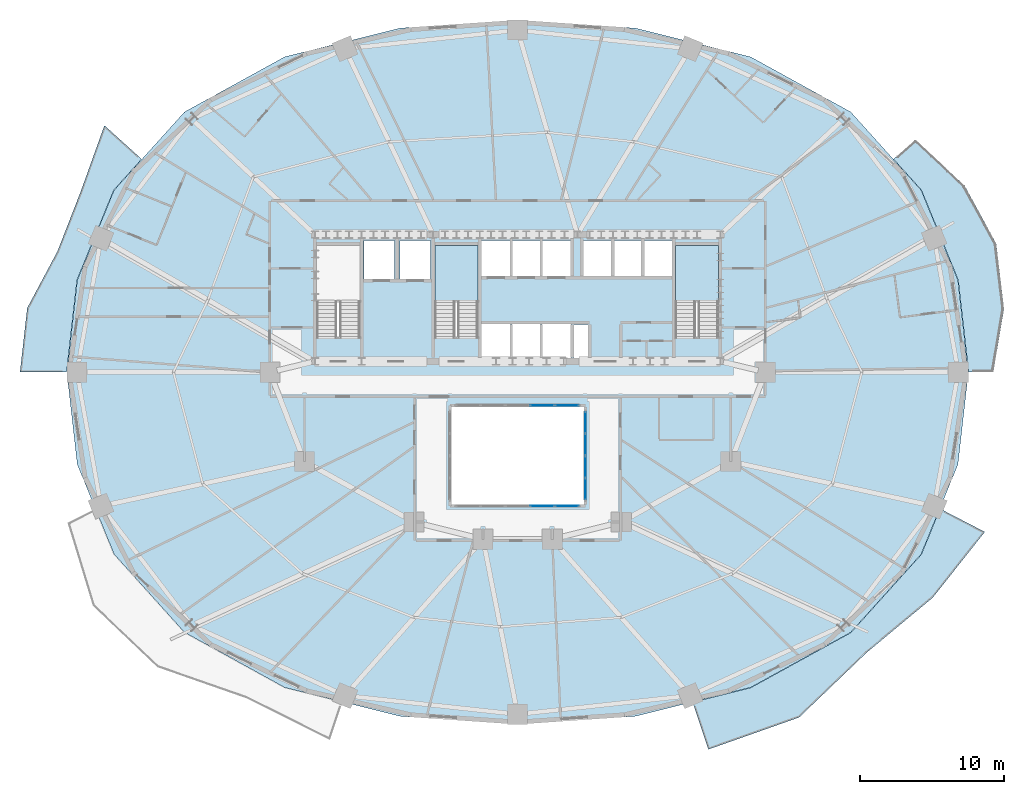
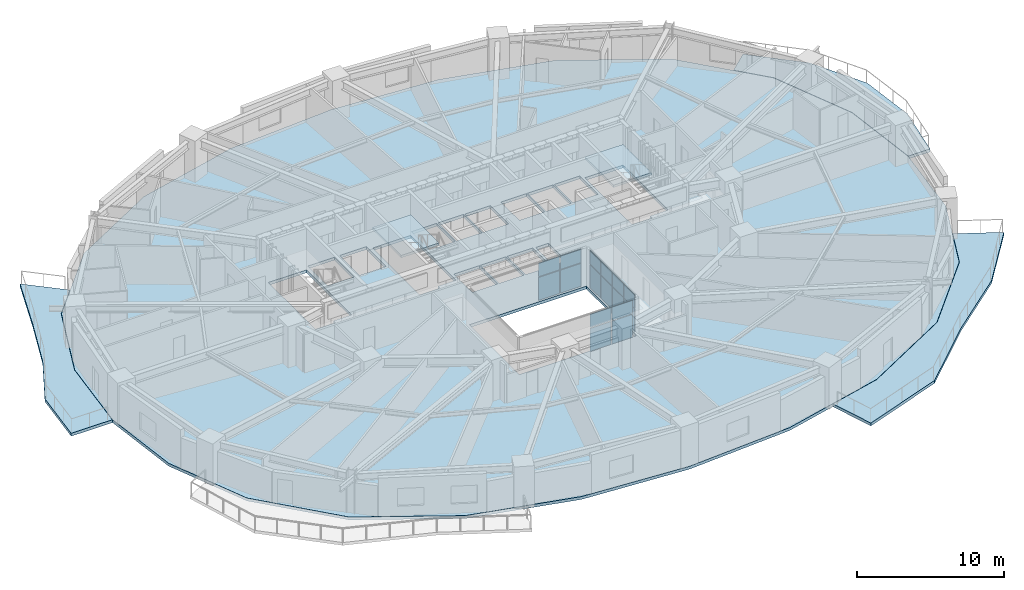
# One storey, part 8 of 17: 16 plates, 6 slabs, 5 elements without a shape of their own.
"""IFC4 building model written with IfcOpenShell, lengths in metres."""

from ifc_helpers import new_model, si_unit, direction, frame, origin, origin_2d, place, context, subcontext, project, spatial, polyline, rectangle, outline, extrude, material, layer, layer_set, type_object, element, aggregate, save


model = new_model("IFC4")

# Units and contexts
model_context = context("Model", 3, precision=1e-05, world=origin(), true_north=direction((0.0, 1.0)))
body_context = subcontext(model_context, "Body", "Model", "MODEL_VIEW")
ifc_project = project(units=[si_unit("LENGTHUNIT", "METRE"), si_unit("AREAUNIT", "SQUARE_METRE"), si_unit("VOLUMEUNIT", "CUBIC_METRE"), si_unit("PLANEANGLEUNIT", "RADIAN"), si_unit("MASSUNIT", "GRAM", prefix="KILO")], contexts=[model_context])

# Site, building, storey
site_placement = place(None, origin())
site = spatial("IfcSite", under=ifc_project, at=site_placement, CompositionType="ELEMENT")
building_placement = place(site_placement, origin())
building = spatial("IfcBuilding", under=site, at=building_placement, Name="Haldorwick Loom Tower", CompositionType="ELEMENT")
storey_placement = place(building_placement, frame((0.0, 0.0, 37.800048828125)))
storey = spatial("IfcBuildingStorey", under=building, at=storey_placement, Name="L09", CompositionType="ELEMENT", Elevation=37.800048828125)

# Curtain wall, plates
ifc_material_1 = material(Name="Thermally Broken Anodized Aluminium Curtain Wall Framing", Category="aluminium")
curtain_wall_type = type_object("IfcCurtainWallType", Name="ARC-CW-03", PredefinedType="NOTDEFINED", material=ifc_material_1)
curtain_wall_1_placement = place(storey_placement, origin())
curtain_wall_1 = element("IfcCurtainWall", 1, at=curtain_wall_1_placement, inside=storey, type_object=curtain_wall_type, Name="L09 Atrium Glazed Screen S", PredefinedType="NOTDEFINED")
ifc_material_2 = material(Name="Triple-Glazed Low-E Argon Insulated Glazing Unit", Category="glass")
ifc_layer_1 = layer(ifc_material_2, 0.04296875, Name="Triple-Glazed Low-E Argon Insulated Glazing Unit", Category="glass")
ifc_layer_set_1 = layer_set([ifc_layer_1], Name="Triple-Glazed Low-E Argon Insulated Glazing Unit")
plate_type = type_object("IfcPlateType", Name="ARC-CWP-03", PredefinedType="CURTAIN_PANEL", material=ifc_layer_set_1)
plate_1_placement = place(storey_placement, frame((39.423583984375, 16.699951171875, 0.06591796875), z_axis=(0.0, 0.0, 1.0), x_axis=(-1.0, 0.0, 0.0)))
plate_1 = element("IfcPlate", 2, at=plate_1_placement, type_object=plate_type, Name="CW-03 panel 1.1", PredefinedType="CURTAIN_PANEL", context=body_context, shape_type="SweptSolid", body=[
    extrude(rectangle(XDim=1.62109375, YDim=0.04296875, at=origin_2d()), origin(), (0.0, 0.0, 1.0), 1.90087890625),
])
plate_2_placement = place(storey_placement, frame((39.423583984375, 16.699951171875, 2.03271484375), z_axis=(0.0, 0.0, 1.0), x_axis=(-1.0, 0.0, 0.0)))
plate_2 = element("IfcPlate", 3, at=plate_2_placement, type_object=plate_type, Name="CW-03 panel 1.2", PredefinedType="CURTAIN_PANEL", context=body_context, shape_type="SweptSolid", body=[
    extrude(rectangle(XDim=1.62109375, YDim=0.04296875, at=origin_2d()), origin(), (0.0, 0.0, 1.0), 1.111083984375),
])
plate_3_placement = place(storey_placement, frame((37.719970703125, 16.699951171875, 0.06591796875), z_axis=(0.0, 0.0, 1.0), x_axis=(-1.0, 0.0, 0.0)))
plate_3 = element("IfcPlate", 4, at=plate_3_placement, type_object=plate_type, Name="CW-03 panel 2.1", PredefinedType="CURTAIN_PANEL", context=body_context, shape_type="SweptSolid", body=[
    extrude(rectangle(XDim=1.654052734375, YDim=0.04296875, at=origin_2d()), origin(), (0.0, 0.0, 1.0), 1.90087890625),
])
plate_4_placement = place(storey_placement, frame((37.719970703125, 16.699951171875, 2.03271484375), z_axis=(0.0, 0.0, 1.0), x_axis=(-1.0, 0.0, 0.0)))
plate_4 = element("IfcPlate", 5, at=plate_4_placement, type_object=plate_type, Name="CW-03 panel 2.2", PredefinedType="CURTAIN_PANEL", context=body_context, shape_type="SweptSolid", body=[
    extrude(rectangle(XDim=1.654052734375, YDim=0.04296875, at=origin_2d()), origin(), (0.0, 0.0, 1.0), 1.111083984375),
])
aggregate(curtain_wall_1, [plate_1, plate_2, plate_3, plate_4])

curtain_wall_2_placement = place(storey_placement, origin())
curtain_wall_2 = element("IfcCurtainWall", 6, at=curtain_wall_2_placement, inside=storey, type_object=curtain_wall_type, Name="L09 Atrium Glazed Screen N", PredefinedType="NOTDEFINED")
plate_5_placement = place(storey_placement, frame((37.719970703125, 23.699951171875, 0.06591796875), z_axis=(0.0, 0.0, 1.0), x_axis=(1.0, 0.0, 0.0)))
plate_5 = element("IfcPlate", 7, at=plate_5_placement, type_object=plate_type, Name="CW-03 panel 4.1", PredefinedType="CURTAIN_PANEL", context=body_context, shape_type="SweptSolid", body=[
    extrude(rectangle(XDim=1.654052734375, YDim=0.04296875, at=origin_2d()), origin(), (0.0, 0.0, 1.0), 1.90087890625),
])
plate_6_placement = place(storey_placement, frame((37.719970703125, 23.699951171875, 2.03271484375), z_axis=(0.0, 0.0, 1.0), x_axis=(1.0, 0.0, 0.0)))
plate_6 = element("IfcPlate", 8, at=plate_6_placement, type_object=plate_type, Name="CW-03 panel 4.2", PredefinedType="CURTAIN_PANEL", context=body_context, shape_type="SweptSolid", body=[
    extrude(rectangle(XDim=1.654052734375, YDim=0.04296875, at=origin_2d()), origin(), (0.0, 0.0, 1.0), 1.111083984375),
])
plate_7_placement = place(storey_placement, frame((39.423583984375, 23.699951171875, 0.06591796875), z_axis=(0.0, 0.0, 1.0), x_axis=(1.0, 0.0, 0.0)))
plate_7 = element("IfcPlate", 9, at=plate_7_placement, type_object=plate_type, Name="CW-03 panel 5.1", PredefinedType="CURTAIN_PANEL", context=body_context, shape_type="SweptSolid", body=[
    extrude(rectangle(XDim=1.62109375, YDim=0.04296875, at=origin_2d()), origin(), (0.0, 0.0, 1.0), 1.90087890625),
])
plate_8_placement = place(storey_placement, frame((39.423583984375, 23.699951171875, 2.03271484375), z_axis=(0.0, 0.0, 1.0), x_axis=(1.0, 0.0, 0.0)))
plate_8 = element("IfcPlate", 10, at=plate_8_placement, type_object=plate_type, Name="CW-03 panel 5.2", PredefinedType="CURTAIN_PANEL", context=body_context, shape_type="SweptSolid", body=[
    extrude(rectangle(XDim=1.62109375, YDim=0.04296875, at=origin_2d()), origin(), (0.0, 0.0, 1.0), 1.111083984375),
])
aggregate(curtain_wall_2, [plate_5, plate_6, plate_7, plate_8])

curtain_wall_3_placement = place(storey_placement, origin())
curtain_wall_3 = element("IfcCurtainWall", 11, at=curtain_wall_3_placement, inside=storey, type_object=curtain_wall_type, Name="L09 Atrium Glazed Screen E", PredefinedType="NOTDEFINED")
plate_9_placement = place(storey_placement, frame((40.699951171875, 22.508544921875, 0.06591796875), z_axis=(0.0, 0.0, 1.0), x_axis=(0.0, -1.0, 0.0)))
plate_9 = element("IfcPlate", 12, at=plate_9_placement, type_object=plate_type, Name="CW-03 panel 1.1", PredefinedType="CURTAIN_PANEL", context=body_context, shape_type="SweptSolid", body=[
    extrude(rectangle(XDim=1.450927734375, YDim=0.04296875, at=origin_2d()), origin(), (0.0, 0.0, 1.0), 1.90087890625),
])
plate_10_placement = place(storey_placement, frame((40.699951171875, 22.508544921875, 2.03271484375), z_axis=(0.0, 0.0, 1.0), x_axis=(0.0, -1.0, 0.0)))
plate_10 = element("IfcPlate", 13, at=plate_10_placement, type_object=plate_type, Name="CW-03 panel 1.2", PredefinedType="CURTAIN_PANEL", context=body_context, shape_type="SweptSolid", body=[
    extrude(rectangle(XDim=1.450927734375, YDim=0.04296875, at=origin_2d()), origin(), (0.0, 0.0, 1.0), 1.111083984375),
])
plate_11_placement = place(storey_placement, frame((40.699951171875, 20.97509765625, 0.06591796875), z_axis=(0.0, 0.0, 1.0), x_axis=(0.0, -1.0, 0.0)))
plate_11 = element("IfcPlate", 14, at=plate_11_placement, type_object=plate_type, Name="CW-03 panel 2.1", PredefinedType="CURTAIN_PANEL", context=body_context, shape_type="SweptSolid", body=[
    extrude(rectangle(XDim=1.48388671875, YDim=0.04296875, at=origin_2d()), origin(), (0.0, 0.0, 1.0), 1.90087890625),
])
plate_12_placement = place(storey_placement, frame((40.699951171875, 20.97509765625, 2.03271484375), z_axis=(0.0, 0.0, 1.0), x_axis=(0.0, -1.0, 0.0)))
plate_12 = element("IfcPlate", 15, at=plate_12_placement, type_object=plate_type, Name="CW-03 panel 2.2", PredefinedType="CURTAIN_PANEL", context=body_context, shape_type="SweptSolid", body=[
    extrude(rectangle(XDim=1.48388671875, YDim=0.04296875, at=origin_2d()), origin(), (0.0, 0.0, 1.0), 1.111083984375),
])
plate_13_placement = place(storey_placement, frame((40.699951171875, 19.425048828125, 0.06591796875), z_axis=(0.0, 0.0, 1.0), x_axis=(0.0, -1.0, 0.0)))
plate_13 = element("IfcPlate", 16, at=plate_13_placement, type_object=plate_type, Name="CW-03 panel 3.1", PredefinedType="CURTAIN_PANEL", context=body_context, shape_type="SweptSolid", body=[
    extrude(rectangle(XDim=1.48388671875, YDim=0.04296875, at=origin_2d()), origin(), (0.0, 0.0, 1.0), 1.90087890625),
])
plate_14_placement = place(storey_placement, frame((40.699951171875, 19.425048828125, 2.03271484375), z_axis=(0.0, 0.0, 1.0), x_axis=(0.0, -1.0, 0.0)))
plate_14 = element("IfcPlate", 17, at=plate_14_placement, type_object=plate_type, Name="CW-03 panel 3.2", PredefinedType="CURTAIN_PANEL", context=body_context, shape_type="SweptSolid", body=[
    extrude(rectangle(XDim=1.48388671875, YDim=0.04296875, at=origin_2d()), origin(), (0.0, 0.0, 1.0), 1.111083984375),
])
plate_15_placement = place(storey_placement, frame((40.699951171875, 17.8916015625, 0.06591796875), z_axis=(0.0, 0.0, 1.0), x_axis=(0.0, -1.0, 0.0)))
plate_15 = element("IfcPlate", 18, at=plate_15_placement, type_object=plate_type, Name="CW-03 panel 4.1", PredefinedType="CURTAIN_PANEL", context=body_context, shape_type="SweptSolid", body=[
    extrude(rectangle(XDim=1.450927734375, YDim=0.04296875, at=origin_2d()), origin(), (0.0, 0.0, 1.0), 1.90087890625),
])
plate_16_placement = place(storey_placement, frame((40.699951171875, 17.8916015625, 2.03271484375), z_axis=(0.0, 0.0, 1.0), x_axis=(0.0, -1.0, 0.0)))
plate_16 = element("IfcPlate", 19, at=plate_16_placement, type_object=plate_type, Name="CW-03 panel 4.2", PredefinedType="CURTAIN_PANEL", context=body_context, shape_type="SweptSolid", body=[
    extrude(rectangle(XDim=1.450927734375, YDim=0.04296875, at=origin_2d()), origin(), (0.0, 0.0, 1.0), 1.111083984375),
])
aggregate(curtain_wall_3, [plate_9, plate_10, plate_11, plate_12, plate_13, plate_14, plate_15, plate_16])

# Slabs
ifc_material_3 = material(Name="Concrete C40 (40 MPa)", Category="concrete")
ifc_layer_2 = layer(ifc_material_3, 0.239990234375, Name="Concrete C40 (40 MPa)", Category="concrete")
ifc_layer_set_2 = layer_set([ifc_layer_2], Name="Concrete C40 (40 MPa)")
slab_type_1 = type_object("IfcSlabType", Name="STR-SLB-BAL240", PredefinedType="FLOOR", material=ifc_layer_set_2)
slab_1_placement = place(storey_placement, frame((0.0, 0.0, -0.239990234375)))
element("IfcSlab", 20, at=slab_1_placement, inside=storey, type_object=slab_type_1, Name="L09 Sinusoidal Balcony Terrace BAL_SE", PredefinedType="FLOOR", context=body_context, shape_type="SweptSolid", body=[
    extrude(outline(polyline([(65.324462890625, 16.51708984375), (64.031494140625, 13.356689453125), (64.031005859375, 13.355712890625), (64.030517578125, 13.3544921875), (64.02978515625, 13.353515625), (64.02880859375, 13.3525390625), (59.13623046875, 7.92333984375), (59.13525390625, 7.922119140625), (59.1337890625, 7.921142578125), (59.13232421875, 7.92041015625), (52.18310546875, 4.09814453125), (52.18212890625, 4.097412109375), (52.180908203125, 4.096923828125), (52.1796875, 4.0966796875), (48.15185546875, 3.091064453125), (49.24560546875, -0.186279296875), (55.5439453125, 2.037109375), (60.22314453125, 6.52783203125), (64.82373046875, 10.352783203125), (68.435546875, 14.910400390625), (65.324462890625, 16.51708984375)])), origin(), (0.0, 0.0, 1.0), 0.239990234375),
])
slab_2_placement = place(storey_placement, frame((0.0, 0.0, -0.239990234375)))
element("IfcSlab", 21, at=slab_2_placement, inside=storey, type_object=slab_type_1, Name="L09 Sinusoidal Balcony Terrace BAL_WNW", PredefinedType="FLOOR", context=body_context, shape_type="SweptSolid", body=[
    extrude(outline(polyline([(4.68896484375, 26.0), (4.689208984375, 26.001708984375), (5.41552734375, 32.40087890625), (5.415771484375, 32.40234375), (5.416015625, 32.40380859375), (5.41650390625, 32.405029296875), (7.968505859375, 38.643310546875), (7.968994140625, 38.644287109375), (7.969482421875, 38.6455078125), (7.97021484375, 38.646484375), (7.97119140625, 38.6474609375), (9.901611328125, 40.789794921875), (7.31591796875, 43.12744140625), (5.65380859375, 38.49658203125), (4.054443359375, 34.3876953125), (1.956298828125, 30.449462890625), (1.4541015625, 26.0), (4.68896484375, 26.0)])), origin(), (0.0, 0.0, 1.0), 0.239990234375),
])
slab_3_placement = place(storey_placement, frame((0.0, 0.0, -0.239990234375)))
element("IfcSlab", 22, at=slab_3_placement, inside=storey, type_object=slab_type_1, Name="L09 Sinusoidal Balcony Terrace BAL_ENE", PredefinedType="FLOOR", context=body_context, shape_type="SweptSolid", body=[
    extrude(outline(polyline([(62.09912109375, 40.788818359375), (64.02880859375, 38.6474609375), (64.02978515625, 38.646484375), (64.030517578125, 38.6455078125), (64.031005859375, 38.644287109375), (64.031494140625, 38.643310546875), (66.58349609375, 32.405029296875), (66.583984375, 32.40380859375), (66.584228515625, 32.40234375), (66.58447265625, 32.40087890625), (67.310791015625, 26.001708984375), (67.31103515625, 26.0), (69.0224609375, 26.0), (69.7666015625, 30.393310546875), (69.227783203125, 34.9208984375), (67.033447265625, 38.94482421875), (63.613525390625, 42.1318359375), (62.09912109375, 40.788818359375)])), origin(), (0.0, 0.0, 1.0), 0.239990234375),
])

# Stair, slab
stair_type = type_object("IfcStairType", Name="STR-STR-CORE", PredefinedType="HALF_TURN_STAIR", material=ifc_material_3)
stair_1_placement = place(storey_placement, origin())
stair_1 = element("IfcStair", 23, at=stair_1_placement, inside=storey, type_object=stair_type, Name="L09 Exit Stair ST-02", PredefinedType="HALF_TURN_STAIR")
ifc_layer_3 = layer(ifc_material_3, 0.199951171875, Name="Concrete C40 (40 MPa)", Category="concrete")
ifc_layer_set_3 = layer_set([ifc_layer_3], Name="Concrete C40 (40 MPa)")
slab_type_2 = type_object("IfcSlabType", Name="STR-SLB-LAND200", PredefinedType="LANDING", material=ifc_layer_set_3)
slab_4_placement = place(storey_placement, frame((0.0, 0.0, 1.52490234375)))
slab_4 = element("IfcSlab", 24, at=slab_4_placement, type_object=slab_type_2, Name="ST-02 landing 1", PredefinedType="LANDING", context=body_context, shape_type="SweptSolid", body=[
    extrude(outline(polyline([(49.949951171875, 30.919921875), (49.949951171875, 34.800048828125), (46.949951171875, 34.800048828125), (46.949951171875, 30.919921875), (49.949951171875, 30.919921875)])), origin(), (0.0, 0.0, 1.0), 0.199951171875),
])
aggregate(stair_1, [slab_4])

stair_2_placement = place(storey_placement, origin())
stair_2 = element("IfcStair", 25, at=stair_2_placement, inside=storey, type_object=stair_type, Name="L09 Exit Stair ST-03", PredefinedType="HALF_TURN_STAIR")
slab_5_placement = place(storey_placement, frame((0.0, 0.0, 1.52490234375)))
slab_5 = element("IfcSlab", 26, at=slab_5_placement, type_object=slab_type_2, Name="ST-03 landing 1", PredefinedType="LANDING", context=body_context, shape_type="SweptSolid", body=[
    extrude(outline(polyline([(33.25, 30.919921875), (33.25, 34.800048828125), (30.25, 34.800048828125), (30.25, 30.919921875), (33.25, 30.919921875)])), origin(), (0.0, 0.0, 1.0), 0.199951171875),
])
aggregate(stair_2, [slab_5])

# Slab
ifc_layer_4 = layer(ifc_material_3, 0.239990234375, Name="Concrete C40 (40 MPa)", Category="concrete")
ifc_layer_set_4 = layer_set([ifc_layer_4], Name="Concrete C40 (40 MPa)")
slab_type_3 = type_object("IfcSlabType", Name="STR-SLB-RES240", PredefinedType="FLOOR", material=ifc_layer_set_4)
slab_6_placement = place(storey_placement, frame((0.0, 0.0, -0.239990234375)))
element("IfcSlab", 27, at=slab_6_placement, inside=storey, type_object=slab_type_3, Name="L09 Residential Structural Floor Slab", PredefinedType="FLOOR", context=body_context, shape_type="SweptSolid", body=[
    extrude(outline(polyline([(59.125244140625, 7.933349609375), (64.017578125, 13.362548828125), (66.569580078125, 19.6005859375), (67.2958984375, 26.0), (66.569580078125, 32.3994140625), (64.017578125, 38.637451171875), (59.125244140625, 44.066650390625), (52.176025390625, 47.888916015625), (44.191162109375, 49.882568359375), (36.0, 50.449951171875), (27.808837890625, 49.882568359375), (19.823974609375, 47.888916015625), (12.874755859375, 44.066650390625), (7.982421875, 38.637451171875), (5.430419921875, 32.3994140625), (4.7041015625, 26.0), (5.430419921875, 19.6005859375), (7.982421875, 13.362548828125), (12.874755859375, 7.933349609375), (19.823974609375, 4.111083984375), (27.808837890625, 2.117431640625), (36.0, 1.550048828125), (44.191162109375, 2.117431640625), (52.176025390625, 4.111083984375), (59.125244140625, 7.933349609375)]), holes=[polyline([(31.39990234375, 23.60009765625), (40.60009765625, 23.60009765625), (40.60009765625, 16.800048828125), (31.39990234375, 16.800048828125), (31.39990234375, 23.60009765625)]), polyline([(33.5, 26.85009765625), (33.5, 29.35009765625), (35.5, 29.35009765625), (35.5, 26.85009765625), (33.5, 26.85009765625)]), polyline([(22.050048828125, 28.39990234375), (22.050048828125, 34.800048828125), (25.050048828125, 34.800048828125), (25.050048828125, 28.639892578125), (23.6201171875, 28.639892578125), (23.6201171875, 28.39990234375), (22.050048828125, 28.39990234375)]), polyline([(30.25, 28.39990234375), (30.25, 34.800048828125), (33.25, 34.800048828125), (33.25, 28.639892578125), (31.820068359375, 28.639892578125), (31.820068359375, 28.39990234375), (30.25, 28.39990234375)]), polyline([(25.35009765625, 32.449951171875), (25.35009765625, 35.14990234375), (27.449951171875, 35.14990234375), (27.449951171875, 32.449951171875), (25.35009765625, 32.449951171875)]), polyline([(27.85009765625, 32.449951171875), (27.85009765625, 35.14990234375), (29.949951171875, 35.14990234375), (29.949951171875, 32.449951171875), (27.85009765625, 32.449951171875)]), polyline([(33.5, 32.64990234375), (33.5, 35.14990234375), (35.5, 35.14990234375), (35.5, 32.64990234375), (33.5, 32.64990234375)]), polyline([(35.60009765625, 32.64990234375), (35.60009765625, 35.14990234375), (37.60009765625, 35.14990234375), (37.60009765625, 32.64990234375), (35.60009765625, 32.64990234375)]), polyline([(35.60009765625, 26.85009765625), (35.60009765625, 29.35009765625), (37.60009765625, 29.35009765625), (37.60009765625, 26.85009765625), (35.60009765625, 26.85009765625)]), polyline([(37.699951171875, 26.85009765625), (37.699951171875, 29.35009765625), (39.699951171875, 29.35009765625), (39.699951171875, 26.85009765625), (37.699951171875, 26.85009765625)]), polyline([(39.89990234375, 26.89990234375), (39.89990234375, 29.300048828125), (40.89990234375, 29.300048828125), (40.89990234375, 26.89990234375), (39.89990234375, 26.89990234375)]), polyline([(46.949951171875, 28.39990234375), (46.949951171875, 34.800048828125), (49.949951171875, 34.800048828125), (49.949951171875, 28.639892578125), (48.52001953125, 28.639892578125), (48.52001953125, 28.39990234375), (46.949951171875, 28.39990234375)]), polyline([(37.699951171875, 32.64990234375), (37.699951171875, 35.14990234375), (39.699951171875, 35.14990234375), (39.699951171875, 32.64990234375), (37.699951171875, 32.64990234375)]), polyline([(40.550048828125, 32.64990234375), (40.550048828125, 35.14990234375), (42.550048828125, 35.14990234375), (42.550048828125, 32.64990234375), (40.550048828125, 32.64990234375)]), polyline([(42.64990234375, 32.64990234375), (42.64990234375, 35.14990234375), (44.64990234375, 35.14990234375), (44.64990234375, 32.64990234375), (42.64990234375, 32.64990234375)]), polyline([(44.75, 32.64990234375), (44.75, 35.14990234375), (46.75, 35.14990234375), (46.75, 32.64990234375), (44.75, 32.64990234375)])]), origin(), (0.0, 0.0, 1.0), 0.239990234375),
])

save(model, "model.ifc")
